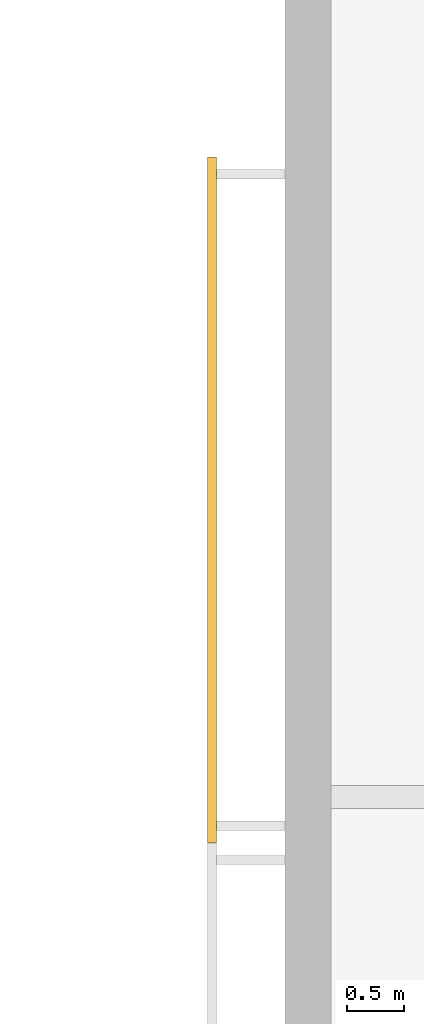
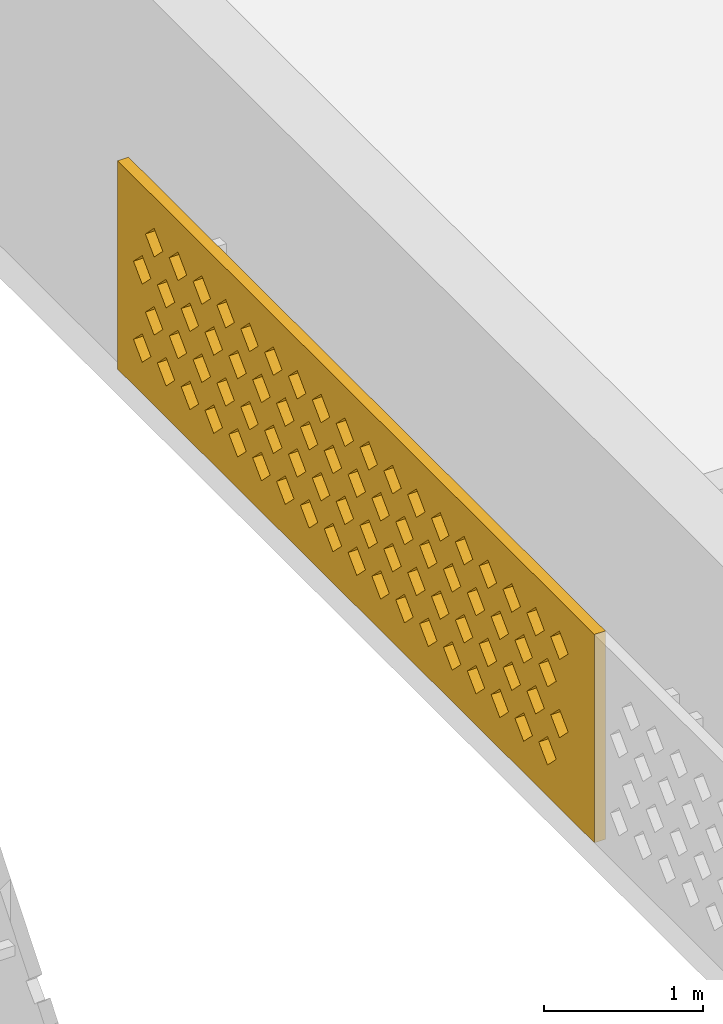
# One storey, part 16 of 18: 1 covering.
"""IFC4 building model written with IfcOpenShell, lengths in metres."""

from ifc_helpers import new_model, si_unit, direction, frame, origin, place, context, subcontext, project, spatial, polyline, outline, extrude, source, transform, mapped, material, material_profile, profile_set, type_object, element, save


model = new_model("IFC4")

# Units and contexts
model_context = context("Model", 3, precision=1e-05, world=origin(), true_north=direction((0.0, 1.0)))
body_context = subcontext(model_context, "Body", "Model", "MODEL_VIEW")
ifc_project = project(units=[si_unit("LENGTHUNIT", "METRE"), si_unit("AREAUNIT", "SQUARE_METRE"), si_unit("VOLUMEUNIT", "CUBIC_METRE"), si_unit("PLANEANGLEUNIT", "RADIAN"), si_unit("MASSUNIT", "GRAM", prefix="KILO")], contexts=[model_context])

# Site, building, storey
site_placement = place(None, origin())
site = spatial("IfcSite", under=ifc_project, at=site_placement, CompositionType="ELEMENT")
building_placement = place(site_placement, origin())
building = spatial("IfcBuilding", under=site, at=building_placement, Name="Poui Terraces", CompositionType="ELEMENT")
storey_placement = place(building_placement, frame((0.0, 0.0, 275.699951171875)))
storey = spatial("IfcBuildingStorey", under=building, at=storey_placement, Name="L76 CROWN", CompositionType="ELEMENT", Elevation=275.699951171875)

# Covering
ifc_material = material(Name="Terracotta screen", Category="masonry")
ifc_material_profile = material_profile(ifc_material, outline(polyline([(-3.0, -0.800048828125), (3.0, -0.800048828125), (3.0, 0.800048828125), (-3.0, 0.800048828125), (-3.0, -0.800048828125)]), holes=[polyline([(-2.800048828125, -0.449951171875), (-2.68994140625, -0.56005859375), (-2.580078125, -0.449951171875), (-2.68994140625, -0.340087890625), (-2.800048828125, -0.449951171875)]), polyline([(-2.5, -0.449951171875), (-2.389892578125, -0.56005859375), (-2.280029296875, -0.449951171875), (-2.389892578125, -0.340087890625), (-2.5, -0.449951171875)]), polyline([(-2.199951171875, -0.449951171875), (-2.090087890625, -0.56005859375), (-1.97998046875, -0.449951171875), (-2.090087890625, -0.340087890625), (-2.199951171875, -0.449951171875)]), polyline([(-1.89990234375, -0.449951171875), (-1.7900390625, -0.56005859375), (-1.679931640625, -0.449951171875), (-1.7900390625, -0.340087890625), (-1.89990234375, -0.449951171875)]), polyline([(-1.60009765625, -0.449951171875), (-1.489990234375, -0.56005859375), (-1.3798828125, -0.449951171875), (-1.489990234375, -0.340087890625), (-1.60009765625, -0.449951171875)]), polyline([(-1.300048828125, -0.449951171875), (-1.18994140625, -0.56005859375), (-1.080078125, -0.449951171875), (-1.18994140625, -0.340087890625), (-1.300048828125, -0.449951171875)]), polyline([(-1.0, -0.449951171875), (-0.889892578125, -0.56005859375), (-0.780029296875, -0.449951171875), (-0.889892578125, -0.340087890625), (-1.0, -0.449951171875)]), polyline([(-0.699951171875, -0.449951171875), (-0.590087890625, -0.56005859375), (-0.47998046875, -0.449951171875), (-0.590087890625, -0.340087890625), (-0.699951171875, -0.449951171875)]), polyline([(-0.39990234375, -0.449951171875), (-0.2900390625, -0.56005859375), (-0.179931640625, -0.449951171875), (-0.2900390625, -0.340087890625), (-0.39990234375, -0.449951171875)]), polyline([(-0.10009765625, -0.449951171875), (0.010009765625, -0.56005859375), (0.1201171875, -0.449951171875), (0.010009765625, -0.340087890625), (-0.10009765625, -0.449951171875)]), polyline([(0.199951171875, -0.449951171875), (0.31005859375, -0.56005859375), (0.419921875, -0.449951171875), (0.31005859375, -0.340087890625), (0.199951171875, -0.449951171875)]), polyline([(0.5, -0.449951171875), (0.610107421875, -0.56005859375), (0.719970703125, -0.449951171875), (0.610107421875, -0.340087890625), (0.5, -0.449951171875)]), polyline([(0.800048828125, -0.449951171875), (0.909912109375, -0.56005859375), (1.02001953125, -0.449951171875), (0.909912109375, -0.340087890625), (0.800048828125, -0.449951171875)]), polyline([(1.10009765625, -0.449951171875), (1.2099609375, -0.56005859375), (1.320068359375, -0.449951171875), (1.2099609375, -0.340087890625), (1.10009765625, -0.449951171875)]), polyline([(1.39990234375, -0.449951171875), (1.510009765625, -0.56005859375), (1.6201171875, -0.449951171875), (1.510009765625, -0.340087890625), (1.39990234375, -0.449951171875)]), polyline([(1.699951171875, -0.449951171875), (1.81005859375, -0.56005859375), (1.919921875, -0.449951171875), (1.81005859375, -0.340087890625), (1.699951171875, -0.449951171875)]), polyline([(2.0, -0.449951171875), (2.110107421875, -0.56005859375), (2.219970703125, -0.449951171875), (2.110107421875, -0.340087890625), (2.0, -0.449951171875)]), polyline([(2.300048828125, -0.449951171875), (2.409912109375, -0.56005859375), (2.52001953125, -0.449951171875), (2.409912109375, -0.340087890625), (2.300048828125, -0.449951171875)]), polyline([(-2.64990234375, -0.14990234375), (-2.5400390625, -0.260009765625), (-2.429931640625, -0.14990234375), (-2.5400390625, -0.0400390625), (-2.64990234375, -0.14990234375)]), polyline([(-2.35009765625, -0.14990234375), (-2.239990234375, -0.260009765625), (-2.1298828125, -0.14990234375), (-2.239990234375, -0.0400390625), (-2.35009765625, -0.14990234375)]), polyline([(-2.050048828125, -0.14990234375), (-1.93994140625, -0.260009765625), (-1.830078125, -0.14990234375), (-1.93994140625, -0.0400390625), (-2.050048828125, -0.14990234375)]), polyline([(-1.75, -0.14990234375), (-1.639892578125, -0.260009765625), (-1.530029296875, -0.14990234375), (-1.639892578125, -0.0400390625), (-1.75, -0.14990234375)]), polyline([(-1.449951171875, -0.14990234375), (-1.340087890625, -0.260009765625), (-1.22998046875, -0.14990234375), (-1.340087890625, -0.0400390625), (-1.449951171875, -0.14990234375)]), polyline([(-1.14990234375, -0.14990234375), (-1.0400390625, -0.260009765625), (-0.929931640625, -0.14990234375), (-1.0400390625, -0.0400390625), (-1.14990234375, -0.14990234375)]), polyline([(-0.85009765625, -0.14990234375), (-0.739990234375, -0.260009765625), (-0.6298828125, -0.14990234375), (-0.739990234375, -0.0400390625), (-0.85009765625, -0.14990234375)]), polyline([(-0.550048828125, -0.14990234375), (-0.43994140625, -0.260009765625), (-0.330078125, -0.14990234375), (-0.43994140625, -0.0400390625), (-0.550048828125, -0.14990234375)]), polyline([(-0.25, -0.14990234375), (-0.139892578125, -0.260009765625), (-0.030029296875, -0.14990234375), (-0.139892578125, -0.0400390625), (-0.25, -0.14990234375)]), polyline([(0.050048828125, -0.14990234375), (0.159912109375, -0.260009765625), (0.27001953125, -0.14990234375), (0.159912109375, -0.0400390625), (0.050048828125, -0.14990234375)]), polyline([(0.35009765625, -0.14990234375), (0.4599609375, -0.260009765625), (0.570068359375, -0.14990234375), (0.4599609375, -0.0400390625), (0.35009765625, -0.14990234375)]), polyline([(0.64990234375, -0.14990234375), (0.760009765625, -0.260009765625), (0.8701171875, -0.14990234375), (0.760009765625, -0.0400390625), (0.64990234375, -0.14990234375)]), polyline([(0.949951171875, -0.14990234375), (1.06005859375, -0.260009765625), (1.169921875, -0.14990234375), (1.06005859375, -0.0400390625), (0.949951171875, -0.14990234375)]), polyline([(1.25, -0.14990234375), (1.360107421875, -0.260009765625), (1.469970703125, -0.14990234375), (1.360107421875, -0.0400390625), (1.25, -0.14990234375)]), polyline([(1.550048828125, -0.14990234375), (1.659912109375, -0.260009765625), (1.77001953125, -0.14990234375), (1.659912109375, -0.0400390625), (1.550048828125, -0.14990234375)]), polyline([(1.85009765625, -0.14990234375), (1.9599609375, -0.260009765625), (2.070068359375, -0.14990234375), (1.9599609375, -0.0400390625), (1.85009765625, -0.14990234375)]), polyline([(2.14990234375, -0.14990234375), (2.260009765625, -0.260009765625), (2.3701171875, -0.14990234375), (2.260009765625, -0.0400390625), (2.14990234375, -0.14990234375)]), polyline([(2.449951171875, -0.14990234375), (2.56005859375, -0.260009765625), (2.669921875, -0.14990234375), (2.56005859375, -0.0400390625), (2.449951171875, -0.14990234375)]), polyline([(-2.800048828125, 0.14990234375), (-2.68994140625, 0.0400390625), (-2.580078125, 0.14990234375), (-2.68994140625, 0.260009765625), (-2.800048828125, 0.14990234375)]), polyline([(-2.5, 0.14990234375), (-2.389892578125, 0.0400390625), (-2.280029296875, 0.14990234375), (-2.389892578125, 0.260009765625), (-2.5, 0.14990234375)]), polyline([(-2.199951171875, 0.14990234375), (-2.090087890625, 0.0400390625), (-1.97998046875, 0.14990234375), (-2.090087890625, 0.260009765625), (-2.199951171875, 0.14990234375)]), polyline([(-1.89990234375, 0.14990234375), (-1.7900390625, 0.0400390625), (-1.679931640625, 0.14990234375), (-1.7900390625, 0.260009765625), (-1.89990234375, 0.14990234375)]), polyline([(-1.60009765625, 0.14990234375), (-1.489990234375, 0.0400390625), (-1.3798828125, 0.14990234375), (-1.489990234375, 0.260009765625), (-1.60009765625, 0.14990234375)]), polyline([(-1.300048828125, 0.14990234375), (-1.18994140625, 0.0400390625), (-1.080078125, 0.14990234375), (-1.18994140625, 0.260009765625), (-1.300048828125, 0.14990234375)]), polyline([(-1.0, 0.14990234375), (-0.889892578125, 0.0400390625), (-0.780029296875, 0.14990234375), (-0.889892578125, 0.260009765625), (-1.0, 0.14990234375)]), polyline([(-0.699951171875, 0.14990234375), (-0.590087890625, 0.0400390625), (-0.47998046875, 0.14990234375), (-0.590087890625, 0.260009765625), (-0.699951171875, 0.14990234375)]), polyline([(-0.39990234375, 0.14990234375), (-0.2900390625, 0.0400390625), (-0.179931640625, 0.14990234375), (-0.2900390625, 0.260009765625), (-0.39990234375, 0.14990234375)]), polyline([(-0.10009765625, 0.14990234375), (0.010009765625, 0.0400390625), (0.1201171875, 0.14990234375), (0.010009765625, 0.260009765625), (-0.10009765625, 0.14990234375)]), polyline([(0.199951171875, 0.14990234375), (0.31005859375, 0.0400390625), (0.419921875, 0.14990234375), (0.31005859375, 0.260009765625), (0.199951171875, 0.14990234375)]), polyline([(0.5, 0.14990234375), (0.610107421875, 0.0400390625), (0.719970703125, 0.14990234375), (0.610107421875, 0.260009765625), (0.5, 0.14990234375)]), polyline([(0.800048828125, 0.14990234375), (0.909912109375, 0.0400390625), (1.02001953125, 0.14990234375), (0.909912109375, 0.260009765625), (0.800048828125, 0.14990234375)]), polyline([(1.10009765625, 0.14990234375), (1.2099609375, 0.0400390625), (1.320068359375, 0.14990234375), (1.2099609375, 0.260009765625), (1.10009765625, 0.14990234375)]), polyline([(1.39990234375, 0.14990234375), (1.510009765625, 0.0400390625), (1.6201171875, 0.14990234375), (1.510009765625, 0.260009765625), (1.39990234375, 0.14990234375)]), polyline([(1.699951171875, 0.14990234375), (1.81005859375, 0.0400390625), (1.919921875, 0.14990234375), (1.81005859375, 0.260009765625), (1.699951171875, 0.14990234375)]), polyline([(2.0, 0.14990234375), (2.110107421875, 0.0400390625), (2.219970703125, 0.14990234375), (2.110107421875, 0.260009765625), (2.0, 0.14990234375)]), polyline([(2.300048828125, 0.14990234375), (2.409912109375, 0.0400390625), (2.52001953125, 0.14990234375), (2.409912109375, 0.260009765625), (2.300048828125, 0.14990234375)]), polyline([(-2.64990234375, 0.449951171875), (-2.5400390625, 0.340087890625), (-2.429931640625, 0.449951171875), (-2.5400390625, 0.56005859375), (-2.64990234375, 0.449951171875)]), polyline([(-2.35009765625, 0.449951171875), (-2.239990234375, 0.340087890625), (-2.1298828125, 0.449951171875), (-2.239990234375, 0.56005859375), (-2.35009765625, 0.449951171875)]), polyline([(-2.050048828125, 0.449951171875), (-1.93994140625, 0.340087890625), (-1.830078125, 0.449951171875), (-1.93994140625, 0.56005859375), (-2.050048828125, 0.449951171875)]), polyline([(-1.75, 0.449951171875), (-1.639892578125, 0.340087890625), (-1.530029296875, 0.449951171875), (-1.639892578125, 0.56005859375), (-1.75, 0.449951171875)]), polyline([(-1.449951171875, 0.449951171875), (-1.340087890625, 0.340087890625), (-1.22998046875, 0.449951171875), (-1.340087890625, 0.56005859375), (-1.449951171875, 0.449951171875)]), polyline([(-1.14990234375, 0.449951171875), (-1.0400390625, 0.340087890625), (-0.929931640625, 0.449951171875), (-1.0400390625, 0.56005859375), (-1.14990234375, 0.449951171875)]), polyline([(-0.85009765625, 0.449951171875), (-0.739990234375, 0.340087890625), (-0.6298828125, 0.449951171875), (-0.739990234375, 0.56005859375), (-0.85009765625, 0.449951171875)]), polyline([(-0.550048828125, 0.449951171875), (-0.43994140625, 0.340087890625), (-0.330078125, 0.449951171875), (-0.43994140625, 0.56005859375), (-0.550048828125, 0.449951171875)]), polyline([(-0.25, 0.449951171875), (-0.139892578125, 0.340087890625), (-0.030029296875, 0.449951171875), (-0.139892578125, 0.56005859375), (-0.25, 0.449951171875)]), polyline([(0.050048828125, 0.449951171875), (0.159912109375, 0.340087890625), (0.27001953125, 0.449951171875), (0.159912109375, 0.56005859375), (0.050048828125, 0.449951171875)]), polyline([(0.35009765625, 0.449951171875), (0.4599609375, 0.340087890625), (0.570068359375, 0.449951171875), (0.4599609375, 0.56005859375), (0.35009765625, 0.449951171875)]), polyline([(0.64990234375, 0.449951171875), (0.760009765625, 0.340087890625), (0.8701171875, 0.449951171875), (0.760009765625, 0.56005859375), (0.64990234375, 0.449951171875)]), polyline([(0.949951171875, 0.449951171875), (1.06005859375, 0.340087890625), (1.169921875, 0.449951171875), (1.06005859375, 0.56005859375), (0.949951171875, 0.449951171875)]), polyline([(1.25, 0.449951171875), (1.360107421875, 0.340087890625), (1.469970703125, 0.449951171875), (1.360107421875, 0.56005859375), (1.25, 0.449951171875)]), polyline([(1.550048828125, 0.449951171875), (1.659912109375, 0.340087890625), (1.77001953125, 0.449951171875), (1.659912109375, 0.56005859375), (1.550048828125, 0.449951171875)]), polyline([(1.85009765625, 0.449951171875), (1.9599609375, 0.340087890625), (2.070068359375, 0.449951171875), (1.9599609375, 0.56005859375), (1.85009765625, 0.449951171875)]), polyline([(2.14990234375, 0.449951171875), (2.260009765625, 0.340087890625), (2.3701171875, 0.449951171875), (2.260009765625, 0.56005859375), (2.14990234375, 0.449951171875)]), polyline([(2.449951171875, 0.449951171875), (2.56005859375, 0.340087890625), (2.669921875, 0.449951171875), (2.56005859375, 0.56005859375), (2.449951171875, 0.449951171875)])]), Name="TERRACOTTA SOLAR SCREEN 6000X1600")
ifc_profile_set = profile_set([ifc_material_profile], Name="Terracotta screen")
covering_type = type_object("IfcCoveringType", Name="TERRACOTTA SOLAR SCREEN 6000X1600", PredefinedType="CLADDING", material=ifc_profile_set)
shared_shape = source(origin(), body_context, "Body", "SweptSolid", [
    extrude(outline(polyline([(-3.0, -0.800048828125), (3.0, -0.800048828125), (3.0, 0.800048828125), (-3.0, 0.800048828125), (-3.0, -0.800048828125)]), holes=[polyline([(-2.800048828125, -0.449951171875), (-2.68994140625, -0.56005859375), (-2.580078125, -0.449951171875), (-2.68994140625, -0.340087890625), (-2.800048828125, -0.449951171875)]), polyline([(-2.5, -0.449951171875), (-2.389892578125, -0.56005859375), (-2.280029296875, -0.449951171875), (-2.389892578125, -0.340087890625), (-2.5, -0.449951171875)]), polyline([(-2.199951171875, -0.449951171875), (-2.090087890625, -0.56005859375), (-1.97998046875, -0.449951171875), (-2.090087890625, -0.340087890625), (-2.199951171875, -0.449951171875)]), polyline([(-1.89990234375, -0.449951171875), (-1.7900390625, -0.56005859375), (-1.679931640625, -0.449951171875), (-1.7900390625, -0.340087890625), (-1.89990234375, -0.449951171875)]), polyline([(-1.60009765625, -0.449951171875), (-1.489990234375, -0.56005859375), (-1.3798828125, -0.449951171875), (-1.489990234375, -0.340087890625), (-1.60009765625, -0.449951171875)]), polyline([(-1.300048828125, -0.449951171875), (-1.18994140625, -0.56005859375), (-1.080078125, -0.449951171875), (-1.18994140625, -0.340087890625), (-1.300048828125, -0.449951171875)]), polyline([(-1.0, -0.449951171875), (-0.889892578125, -0.56005859375), (-0.780029296875, -0.449951171875), (-0.889892578125, -0.340087890625), (-1.0, -0.449951171875)]), polyline([(-0.699951171875, -0.449951171875), (-0.590087890625, -0.56005859375), (-0.47998046875, -0.449951171875), (-0.590087890625, -0.340087890625), (-0.699951171875, -0.449951171875)]), polyline([(-0.39990234375, -0.449951171875), (-0.2900390625, -0.56005859375), (-0.179931640625, -0.449951171875), (-0.2900390625, -0.340087890625), (-0.39990234375, -0.449951171875)]), polyline([(-0.10009765625, -0.449951171875), (0.010009765625, -0.56005859375), (0.1201171875, -0.449951171875), (0.010009765625, -0.340087890625), (-0.10009765625, -0.449951171875)]), polyline([(0.199951171875, -0.449951171875), (0.31005859375, -0.56005859375), (0.419921875, -0.449951171875), (0.31005859375, -0.340087890625), (0.199951171875, -0.449951171875)]), polyline([(0.5, -0.449951171875), (0.610107421875, -0.56005859375), (0.719970703125, -0.449951171875), (0.610107421875, -0.340087890625), (0.5, -0.449951171875)]), polyline([(0.800048828125, -0.449951171875), (0.909912109375, -0.56005859375), (1.02001953125, -0.449951171875), (0.909912109375, -0.340087890625), (0.800048828125, -0.449951171875)]), polyline([(1.10009765625, -0.449951171875), (1.2099609375, -0.56005859375), (1.320068359375, -0.449951171875), (1.2099609375, -0.340087890625), (1.10009765625, -0.449951171875)]), polyline([(1.39990234375, -0.449951171875), (1.510009765625, -0.56005859375), (1.6201171875, -0.449951171875), (1.510009765625, -0.340087890625), (1.39990234375, -0.449951171875)]), polyline([(1.699951171875, -0.449951171875), (1.81005859375, -0.56005859375), (1.919921875, -0.449951171875), (1.81005859375, -0.340087890625), (1.699951171875, -0.449951171875)]), polyline([(2.0, -0.449951171875), (2.110107421875, -0.56005859375), (2.219970703125, -0.449951171875), (2.110107421875, -0.340087890625), (2.0, -0.449951171875)]), polyline([(2.300048828125, -0.449951171875), (2.409912109375, -0.56005859375), (2.52001953125, -0.449951171875), (2.409912109375, -0.340087890625), (2.300048828125, -0.449951171875)]), polyline([(-2.64990234375, -0.14990234375), (-2.5400390625, -0.260009765625), (-2.429931640625, -0.14990234375), (-2.5400390625, -0.0400390625), (-2.64990234375, -0.14990234375)]), polyline([(-2.35009765625, -0.14990234375), (-2.239990234375, -0.260009765625), (-2.1298828125, -0.14990234375), (-2.239990234375, -0.0400390625), (-2.35009765625, -0.14990234375)]), polyline([(-2.050048828125, -0.14990234375), (-1.93994140625, -0.260009765625), (-1.830078125, -0.14990234375), (-1.93994140625, -0.0400390625), (-2.050048828125, -0.14990234375)]), polyline([(-1.75, -0.14990234375), (-1.639892578125, -0.260009765625), (-1.530029296875, -0.14990234375), (-1.639892578125, -0.0400390625), (-1.75, -0.14990234375)]), polyline([(-1.449951171875, -0.14990234375), (-1.340087890625, -0.260009765625), (-1.22998046875, -0.14990234375), (-1.340087890625, -0.0400390625), (-1.449951171875, -0.14990234375)]), polyline([(-1.14990234375, -0.14990234375), (-1.0400390625, -0.260009765625), (-0.929931640625, -0.14990234375), (-1.0400390625, -0.0400390625), (-1.14990234375, -0.14990234375)]), polyline([(-0.85009765625, -0.14990234375), (-0.739990234375, -0.260009765625), (-0.6298828125, -0.14990234375), (-0.739990234375, -0.0400390625), (-0.85009765625, -0.14990234375)]), polyline([(-0.550048828125, -0.14990234375), (-0.43994140625, -0.260009765625), (-0.330078125, -0.14990234375), (-0.43994140625, -0.0400390625), (-0.550048828125, -0.14990234375)]), polyline([(-0.25, -0.14990234375), (-0.139892578125, -0.260009765625), (-0.030029296875, -0.14990234375), (-0.139892578125, -0.0400390625), (-0.25, -0.14990234375)]), polyline([(0.050048828125, -0.14990234375), (0.159912109375, -0.260009765625), (0.27001953125, -0.14990234375), (0.159912109375, -0.0400390625), (0.050048828125, -0.14990234375)]), polyline([(0.35009765625, -0.14990234375), (0.4599609375, -0.260009765625), (0.570068359375, -0.14990234375), (0.4599609375, -0.0400390625), (0.35009765625, -0.14990234375)]), polyline([(0.64990234375, -0.14990234375), (0.760009765625, -0.260009765625), (0.8701171875, -0.14990234375), (0.760009765625, -0.0400390625), (0.64990234375, -0.14990234375)]), polyline([(0.949951171875, -0.14990234375), (1.06005859375, -0.260009765625), (1.169921875, -0.14990234375), (1.06005859375, -0.0400390625), (0.949951171875, -0.14990234375)]), polyline([(1.25, -0.14990234375), (1.360107421875, -0.260009765625), (1.469970703125, -0.14990234375), (1.360107421875, -0.0400390625), (1.25, -0.14990234375)]), polyline([(1.550048828125, -0.14990234375), (1.659912109375, -0.260009765625), (1.77001953125, -0.14990234375), (1.659912109375, -0.0400390625), (1.550048828125, -0.14990234375)]), polyline([(1.85009765625, -0.14990234375), (1.9599609375, -0.260009765625), (2.070068359375, -0.14990234375), (1.9599609375, -0.0400390625), (1.85009765625, -0.14990234375)]), polyline([(2.14990234375, -0.14990234375), (2.260009765625, -0.260009765625), (2.3701171875, -0.14990234375), (2.260009765625, -0.0400390625), (2.14990234375, -0.14990234375)]), polyline([(2.449951171875, -0.14990234375), (2.56005859375, -0.260009765625), (2.669921875, -0.14990234375), (2.56005859375, -0.0400390625), (2.449951171875, -0.14990234375)]), polyline([(-2.800048828125, 0.14990234375), (-2.68994140625, 0.0400390625), (-2.580078125, 0.14990234375), (-2.68994140625, 0.260009765625), (-2.800048828125, 0.14990234375)]), polyline([(-2.5, 0.14990234375), (-2.389892578125, 0.0400390625), (-2.280029296875, 0.14990234375), (-2.389892578125, 0.260009765625), (-2.5, 0.14990234375)]), polyline([(-2.199951171875, 0.14990234375), (-2.090087890625, 0.0400390625), (-1.97998046875, 0.14990234375), (-2.090087890625, 0.260009765625), (-2.199951171875, 0.14990234375)]), polyline([(-1.89990234375, 0.14990234375), (-1.7900390625, 0.0400390625), (-1.679931640625, 0.14990234375), (-1.7900390625, 0.260009765625), (-1.89990234375, 0.14990234375)]), polyline([(-1.60009765625, 0.14990234375), (-1.489990234375, 0.0400390625), (-1.3798828125, 0.14990234375), (-1.489990234375, 0.260009765625), (-1.60009765625, 0.14990234375)]), polyline([(-1.300048828125, 0.14990234375), (-1.18994140625, 0.0400390625), (-1.080078125, 0.14990234375), (-1.18994140625, 0.260009765625), (-1.300048828125, 0.14990234375)]), polyline([(-1.0, 0.14990234375), (-0.889892578125, 0.0400390625), (-0.780029296875, 0.14990234375), (-0.889892578125, 0.260009765625), (-1.0, 0.14990234375)]), polyline([(-0.699951171875, 0.14990234375), (-0.590087890625, 0.0400390625), (-0.47998046875, 0.14990234375), (-0.590087890625, 0.260009765625), (-0.699951171875, 0.14990234375)]), polyline([(-0.39990234375, 0.14990234375), (-0.2900390625, 0.0400390625), (-0.179931640625, 0.14990234375), (-0.2900390625, 0.260009765625), (-0.39990234375, 0.14990234375)]), polyline([(-0.10009765625, 0.14990234375), (0.010009765625, 0.0400390625), (0.1201171875, 0.14990234375), (0.010009765625, 0.260009765625), (-0.10009765625, 0.14990234375)]), polyline([(0.199951171875, 0.14990234375), (0.31005859375, 0.0400390625), (0.419921875, 0.14990234375), (0.31005859375, 0.260009765625), (0.199951171875, 0.14990234375)]), polyline([(0.5, 0.14990234375), (0.610107421875, 0.0400390625), (0.719970703125, 0.14990234375), (0.610107421875, 0.260009765625), (0.5, 0.14990234375)]), polyline([(0.800048828125, 0.14990234375), (0.909912109375, 0.0400390625), (1.02001953125, 0.14990234375), (0.909912109375, 0.260009765625), (0.800048828125, 0.14990234375)]), polyline([(1.10009765625, 0.14990234375), (1.2099609375, 0.0400390625), (1.320068359375, 0.14990234375), (1.2099609375, 0.260009765625), (1.10009765625, 0.14990234375)]), polyline([(1.39990234375, 0.14990234375), (1.510009765625, 0.0400390625), (1.6201171875, 0.14990234375), (1.510009765625, 0.260009765625), (1.39990234375, 0.14990234375)]), polyline([(1.699951171875, 0.14990234375), (1.81005859375, 0.0400390625), (1.919921875, 0.14990234375), (1.81005859375, 0.260009765625), (1.699951171875, 0.14990234375)]), polyline([(2.0, 0.14990234375), (2.110107421875, 0.0400390625), (2.219970703125, 0.14990234375), (2.110107421875, 0.260009765625), (2.0, 0.14990234375)]), polyline([(2.300048828125, 0.14990234375), (2.409912109375, 0.0400390625), (2.52001953125, 0.14990234375), (2.409912109375, 0.260009765625), (2.300048828125, 0.14990234375)]), polyline([(-2.64990234375, 0.449951171875), (-2.5400390625, 0.340087890625), (-2.429931640625, 0.449951171875), (-2.5400390625, 0.56005859375), (-2.64990234375, 0.449951171875)]), polyline([(-2.35009765625, 0.449951171875), (-2.239990234375, 0.340087890625), (-2.1298828125, 0.449951171875), (-2.239990234375, 0.56005859375), (-2.35009765625, 0.449951171875)]), polyline([(-2.050048828125, 0.449951171875), (-1.93994140625, 0.340087890625), (-1.830078125, 0.449951171875), (-1.93994140625, 0.56005859375), (-2.050048828125, 0.449951171875)]), polyline([(-1.75, 0.449951171875), (-1.639892578125, 0.340087890625), (-1.530029296875, 0.449951171875), (-1.639892578125, 0.56005859375), (-1.75, 0.449951171875)]), polyline([(-1.449951171875, 0.449951171875), (-1.340087890625, 0.340087890625), (-1.22998046875, 0.449951171875), (-1.340087890625, 0.56005859375), (-1.449951171875, 0.449951171875)]), polyline([(-1.14990234375, 0.449951171875), (-1.0400390625, 0.340087890625), (-0.929931640625, 0.449951171875), (-1.0400390625, 0.56005859375), (-1.14990234375, 0.449951171875)]), polyline([(-0.85009765625, 0.449951171875), (-0.739990234375, 0.340087890625), (-0.6298828125, 0.449951171875), (-0.739990234375, 0.56005859375), (-0.85009765625, 0.449951171875)]), polyline([(-0.550048828125, 0.449951171875), (-0.43994140625, 0.340087890625), (-0.330078125, 0.449951171875), (-0.43994140625, 0.56005859375), (-0.550048828125, 0.449951171875)]), polyline([(-0.25, 0.449951171875), (-0.139892578125, 0.340087890625), (-0.030029296875, 0.449951171875), (-0.139892578125, 0.56005859375), (-0.25, 0.449951171875)]), polyline([(0.050048828125, 0.449951171875), (0.159912109375, 0.340087890625), (0.27001953125, 0.449951171875), (0.159912109375, 0.56005859375), (0.050048828125, 0.449951171875)]), polyline([(0.35009765625, 0.449951171875), (0.4599609375, 0.340087890625), (0.570068359375, 0.449951171875), (0.4599609375, 0.56005859375), (0.35009765625, 0.449951171875)]), polyline([(0.64990234375, 0.449951171875), (0.760009765625, 0.340087890625), (0.8701171875, 0.449951171875), (0.760009765625, 0.56005859375), (0.64990234375, 0.449951171875)]), polyline([(0.949951171875, 0.449951171875), (1.06005859375, 0.340087890625), (1.169921875, 0.449951171875), (1.06005859375, 0.56005859375), (0.949951171875, 0.449951171875)]), polyline([(1.25, 0.449951171875), (1.360107421875, 0.340087890625), (1.469970703125, 0.449951171875), (1.360107421875, 0.56005859375), (1.25, 0.449951171875)]), polyline([(1.550048828125, 0.449951171875), (1.659912109375, 0.340087890625), (1.77001953125, 0.449951171875), (1.659912109375, 0.56005859375), (1.550048828125, 0.449951171875)]), polyline([(1.85009765625, 0.449951171875), (1.9599609375, 0.340087890625), (2.070068359375, 0.449951171875), (1.9599609375, 0.56005859375), (1.85009765625, 0.449951171875)]), polyline([(2.14990234375, 0.449951171875), (2.260009765625, 0.340087890625), (2.3701171875, 0.449951171875), (2.260009765625, 0.56005859375), (2.14990234375, 0.449951171875)]), polyline([(2.449951171875, 0.449951171875), (2.56005859375, 0.340087890625), (2.669921875, 0.449951171875), (2.56005859375, 0.56005859375), (2.449951171875, 0.449951171875)])]), origin(), (0.0, 0.0, 1.0), 0.079833984375),
])
covering_placement = place(storey_placement, frame((53.199951171875, 33.0, 1.699951171875), z_axis=(-1.0, 0.0, 0.0), x_axis=(0.0, -1.0, 0.0)))
element("IfcCovering", 1, at=covering_placement, inside=storey, type_object=covering_type, Name="SOLAR SCREEN", PredefinedType="CLADDING", context=body_context, shape_type="MappedRepresentation", body=[
    mapped(shared_shape, transform((0.0, 0.0, 0.0))),
])

save(model, "model.ifc")
